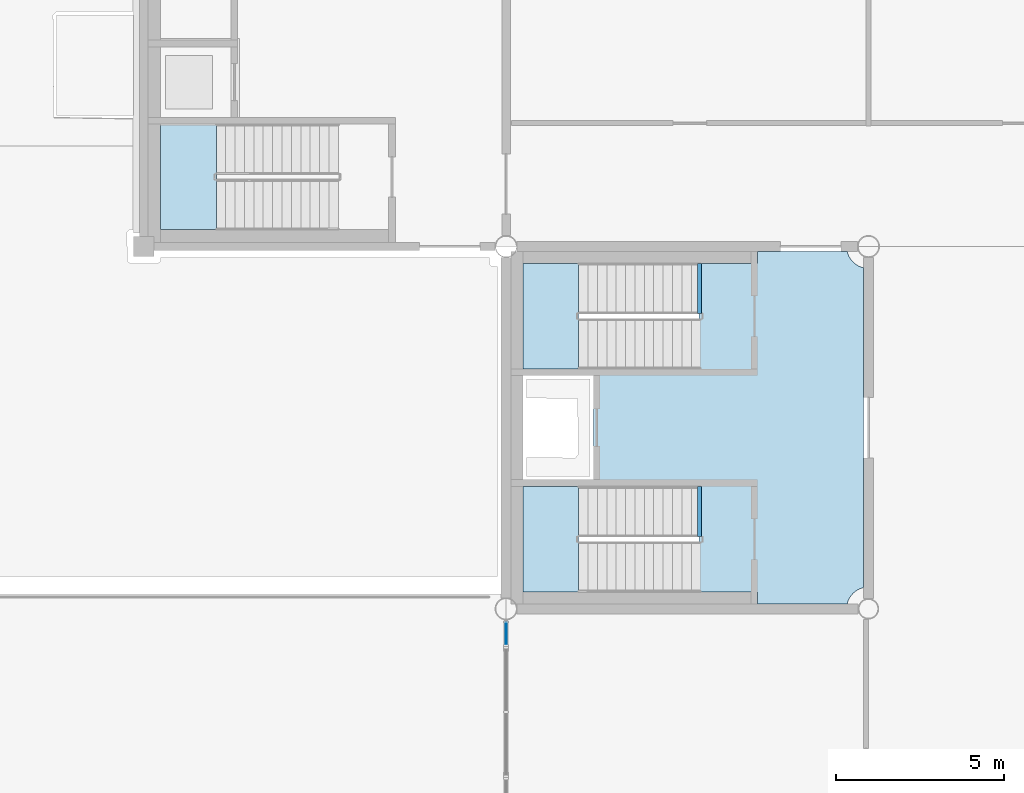
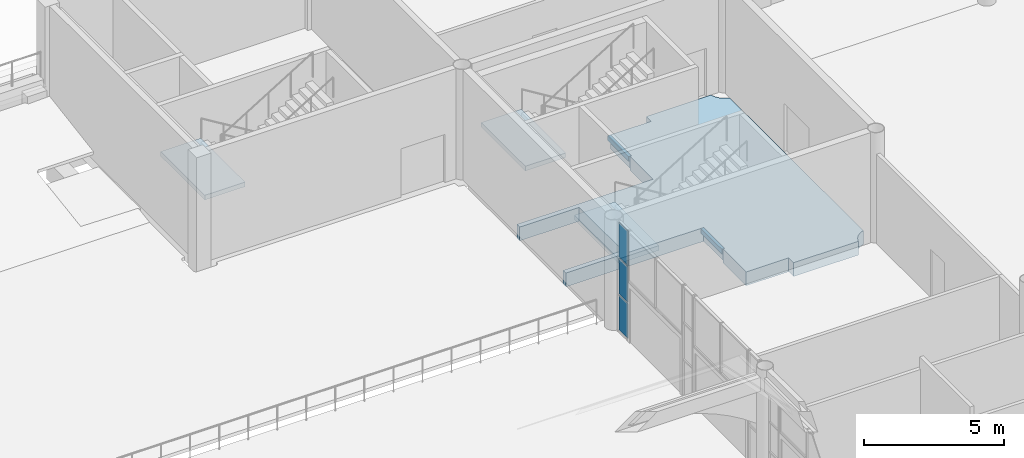
# One storey, part 40 of 91: 6 slabs, 3 plates, 4 elements without a shape of their own.
"""IFC4 building model written with IfcOpenShell, lengths in metres."""

from ifc_helpers import new_model, si_unit, direction, frame, origin, origin_2d, place, context, subcontext, project, spatial, polyline, rectangle, outline, extrude, material, layer, layer_set, type_object, element, aggregate, save


model = new_model("IFC4")

# Units and contexts
model_context = context("Model", 3, precision=1e-05, world=origin(), true_north=direction((0.0, 1.0)))
body_context = subcontext(model_context, "Body", "Model", "MODEL_VIEW")
ifc_project = project(units=[si_unit("LENGTHUNIT", "METRE"), si_unit("AREAUNIT", "SQUARE_METRE"), si_unit("VOLUMEUNIT", "CUBIC_METRE"), si_unit("PLANEANGLEUNIT", "RADIAN"), si_unit("MASSUNIT", "GRAM", prefix="KILO")], contexts=[model_context])

# Site, building, storey
site_placement = place(None, origin())
site = spatial("IfcSite", under=ifc_project, at=site_placement, CompositionType="ELEMENT")
building_placement = place(site_placement, origin())
building = spatial("IfcBuilding", under=site, at=building_placement, Name="Magnolia Steps Interchange", CompositionType="ELEMENT")
storey_placement = place(building_placement, origin())
storey = spatial("IfcBuildingStorey", under=building, at=storey_placement, Name="L00", CompositionType="ELEMENT", Elevation=0.0)

# Slabs
ifc_material_1 = material(Name="Concrete C35", Category="concrete")
ifc_layer_1 = layer(ifc_material_1, 0.199951171875)
ifc_layer_set_1 = layer_set([ifc_layer_1], Name="Core floor nib 200")
slab_type_1 = type_object("IfcSlabType", Name="Core floor nib 200", PredefinedType="FLOOR", material=ifc_layer_set_1)
slab_1_placement = place(storey_placement, frame((0.0, 0.0, -0.199951171875)))
element("IfcSlab", 1, at=slab_1_placement, inside=storey, type_object=slab_type_1, Name="L00 core floor nib HC1", PredefinedType="FLOOR", context=body_context, shape_type="SweptSolid", body=[
    extrude(outline(polyline([(59.02001953125, 76.949951171875), (58.89990234375, 76.949951171875), (58.89990234375, 78.449951171875), (59.02001953125, 78.449951171875), (59.02001953125, 76.949951171875)])), origin(), (0.0, 0.0, 1.0), 0.199951171875),
])
slab_2_placement = place(storey_placement, frame((0.0, 0.0, -0.199951171875)))
element("IfcSlab", 2, at=slab_2_placement, inside=storey, type_object=slab_type_1, Name="L00 core floor nib HC1", PredefinedType="FLOOR", context=body_context, shape_type="SweptSolid", body=[
    extrude(outline(polyline([(59.02001953125, 83.60009765625), (58.89990234375, 83.60009765625), (58.89990234375, 85.10009765625), (59.02001953125, 85.10009765625), (59.02001953125, 83.60009765625)])), origin(), (0.0, 0.0, 1.0), 0.199951171875),
])
ifc_material_2 = material(Name="Concrete C35", Category="concrete")
ifc_layer_2 = layer(ifc_material_2, 0.60009765625)
ifc_layer_set_2 = layer_set([ifc_layer_2], Name="Core floor slab 600")
slab_type_2 = type_object("IfcSlabType", Name="Core floor slab 600", PredefinedType="FLOOR", material=ifc_layer_set_2)
slab_3_placement = place(storey_placement, frame((0.0, 0.0, -0.60009765625)))
element("IfcSlab", 3, at=slab_3_placement, inside=storey, type_object=slab_type_2, Name="L00 core floor HC1", PredefinedType="FLOOR", context=body_context, shape_type="SweptSolid", body=[
    extrude(outline(polyline([(60.699951171875, 75.300048828125), (58.949951171875, 75.300048828125), (58.949951171875, 76.949951171875), (59.02001953125, 76.949951171875), (59.02001953125, 78.449951171875), (53.35009765625, 78.449951171875), (53.35009765625, 78.64990234375), (55.800048828125, 78.64990234375), (55.800048828125, 81.75), (53.35009765625, 81.75), (53.35009765625, 81.949951171875), (58.949951171875, 81.949951171875), (58.949951171875, 83.60009765625), (59.02001953125, 83.60009765625), (59.02001953125, 85.10009765625), (60.699951171875, 85.10009765625), (60.699951171875, 85.449951171875), (63.368408203125, 85.449951171875), (63.3779296875, 85.411376953125), (63.3994140625, 85.351318359375), (63.4267578125, 85.293701171875), (63.45947265625, 85.239013671875), (63.49755859375, 85.1875), (63.540283203125, 85.140380859375), (63.587646484375, 85.097412109375), (63.638916015625, 85.0595703125), (63.693603515625, 85.02685546875), (63.751220703125, 84.99951171875), (63.811279296875, 84.97802734375), (63.85009765625, 84.96826171875), (63.85009765625, 75.431640625), (63.811279296875, 75.422119140625), (63.751220703125, 75.400390625), (63.693603515625, 75.373291015625), (63.638916015625, 75.340576171875), (63.587646484375, 75.302490234375), (63.540283203125, 75.259521484375), (63.49755859375, 75.21240234375), (63.45947265625, 75.1611328125), (63.4267578125, 75.1064453125), (63.3994140625, 75.048583984375), (63.3779296875, 74.98876953125), (63.368408203125, 74.949951171875), (60.699951171875, 74.949951171875), (60.699951171875, 75.300048828125)])), origin(), (0.0, 0.0, 1.0), 0.60009765625),
])

# Stair, slab
ifc_material_3 = material(Name="Concrete C40", Category="concrete")
stair_type = type_object("IfcStairType", Name="Exit stair 1500", PredefinedType="HALF_TURN_STAIR", material=ifc_material_3)
stair_1_placement = place(storey_placement, origin())
stair_1 = element("IfcStair", 4, at=stair_1_placement, inside=storey, type_object=stair_type, Name="L00 Stair 1", PredefinedType="HALF_TURN_STAIR")
ifc_material_4 = material(Name="Concrete C40", Category="concrete")
ifc_layer_3 = layer(ifc_material_4, 0.199951171875)
ifc_layer_set_3 = layer_set([ifc_layer_3], Name="Exit stair landing 200")
slab_type_3 = type_object("IfcSlabType", Name="Exit stair landing 200", PredefinedType="LANDING", material=ifc_layer_set_3)
slab_4_placement = place(storey_placement, frame((0.0, 0.0, 2.199951171875)))
slab_4 = element("IfcSlab", 5, at=slab_4_placement, type_object=slab_type_3, Name="Stair 1 landing 1", PredefinedType="LANDING", context=body_context, shape_type="SweptSolid", body=[
    extrude(outline(polyline([(55.360107421875, 78.449951171875), (53.699951171875, 78.449951171875), (53.699951171875, 75.300048828125), (55.360107421875, 75.300048828125), (55.360107421875, 78.449951171875)])), origin(), (0.0, 0.0, 1.0), 0.199951171875),
])
aggregate(stair_1, [slab_4])

stair_2_placement = place(storey_placement, origin())
stair_2 = element("IfcStair", 6, at=stair_2_placement, inside=storey, type_object=stair_type, Name="L00 Stair 2", PredefinedType="HALF_TURN_STAIR")
slab_5_placement = place(storey_placement, frame((0.0, 0.0, 2.199951171875)))
slab_5 = element("IfcSlab", 7, at=slab_5_placement, type_object=slab_type_3, Name="Stair 2 landing 1", PredefinedType="LANDING", context=body_context, shape_type="SweptSolid", body=[
    extrude(outline(polyline([(55.360107421875, 85.10009765625), (53.699951171875, 85.10009765625), (53.699951171875, 81.949951171875), (55.360107421875, 81.949951171875), (55.360107421875, 85.10009765625)])), origin(), (0.0, 0.0, 1.0), 0.199951171875),
])
aggregate(stair_2, [slab_5])

stair_3_placement = place(storey_placement, origin())
stair_3 = element("IfcStair", 8, at=stair_3_placement, inside=storey, type_object=stair_type, Name="L00 Stair 26", PredefinedType="HALF_TURN_STAIR")
slab_6_placement = place(storey_placement, frame((0.0, 0.0, 2.199951171875)))
slab_6 = element("IfcSlab", 9, at=slab_6_placement, type_object=slab_type_3, Name="Stair 26 landing 1", PredefinedType="LANDING", context=body_context, shape_type="SweptSolid", body=[
    extrude(outline(polyline([(44.56005859375, 89.25), (42.89990234375, 89.25), (42.89990234375, 86.10009765625), (44.56005859375, 86.10009765625), (44.56005859375, 89.25)])), origin(), (0.0, 0.0, 1.0), 0.199951171875),
])
aggregate(stair_3, [slab_6])

# Curtain wall, plates
ifc_material_5 = material(Name="Powder-coated aluminium and glass", Category="aluminium")
ifc_layer_4 = layer(ifc_material_5, 0.14990234375)
ifc_layer_set_4 = layer_set([ifc_layer_4], Name="Glazed hall curtain wall")
curtain_wall_type = type_object("IfcCurtainWallType", Name="Glazed hall curtain wall", PredefinedType="NOTDEFINED", material=ifc_layer_set_4)
curtain_wall_placement = place(storey_placement, origin())
curtain_wall = element("IfcCurtainWall", 10, at=curtain_wall_placement, inside=storey, type_object=curtain_wall_type, Name="Hall glazing W3z L00", PredefinedType="NOTDEFINED")
ifc_material_6 = material(Name="Laminated glass", Category="glass")
ifc_layer_5 = layer(ifc_material_6, 0.028076171875)
ifc_layer_set_5 = layer_set([ifc_layer_5], Name="Glass panel 28")
plate_type = type_object("IfcPlateType", Name="Glass panel 28", PredefinedType="CURTAIN_PANEL", material=ifc_layer_set_5)
plate_1_placement = place(storey_placement, frame((53.199951171875, 74.06005859375, 0.06005859375), z_axis=(0.0, 0.0, 1.0), x_axis=(0.0, 1.0, 0.0)))
plate_1 = element("IfcPlate", 11, at=plate_1_placement, type_object=plate_type, Name="CW1 panel 1.1", PredefinedType="CURTAIN_PANEL", context=body_context, shape_type="SweptSolid", body=[
    extrude(rectangle(XDim=0.639892578125, YDim=0.028076171875, at=origin_2d()), origin(), (0.0, 0.0, 1.0), 1.510009765625),
])
plate_2_placement = place(storey_placement, frame((53.199951171875, 74.06005859375, 1.6298828125), z_axis=(0.0, 0.0, 1.0), x_axis=(0.0, 1.0, 0.0)))
plate_2 = element("IfcPlate", 12, at=plate_2_placement, type_object=plate_type, Name="CW1 panel 1.2", PredefinedType="CURTAIN_PANEL", context=body_context, shape_type="SweptSolid", body=[
    extrude(rectangle(XDim=0.639892578125, YDim=0.028076171875, at=origin_2d()), origin(), (0.0, 0.0, 1.0), 1.5400390625),
])
plate_3_placement = place(storey_placement, frame((53.199951171875, 74.06005859375, 3.22998046875), z_axis=(0.0, 0.0, 1.0), x_axis=(0.0, 1.0, 0.0)))
plate_3 = element("IfcPlate", 13, at=plate_3_placement, type_object=plate_type, Name="CW1 panel 1.3", PredefinedType="CURTAIN_PANEL", context=body_context, shape_type="SweptSolid", body=[
    extrude(rectangle(XDim=0.639892578125, YDim=0.028076171875, at=origin_2d()), origin(), (0.0, 0.0, 1.0), 1.510009765625),
])
aggregate(curtain_wall, [plate_1, plate_2, plate_3])

save(model, "model.ifc")
